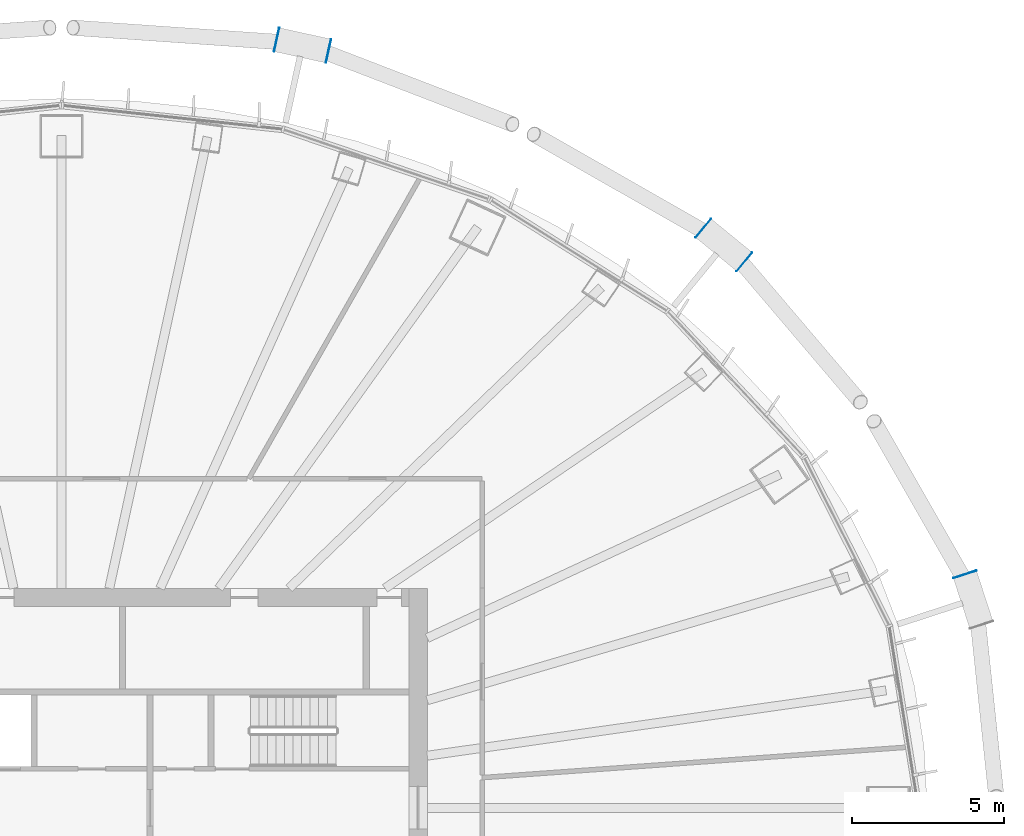
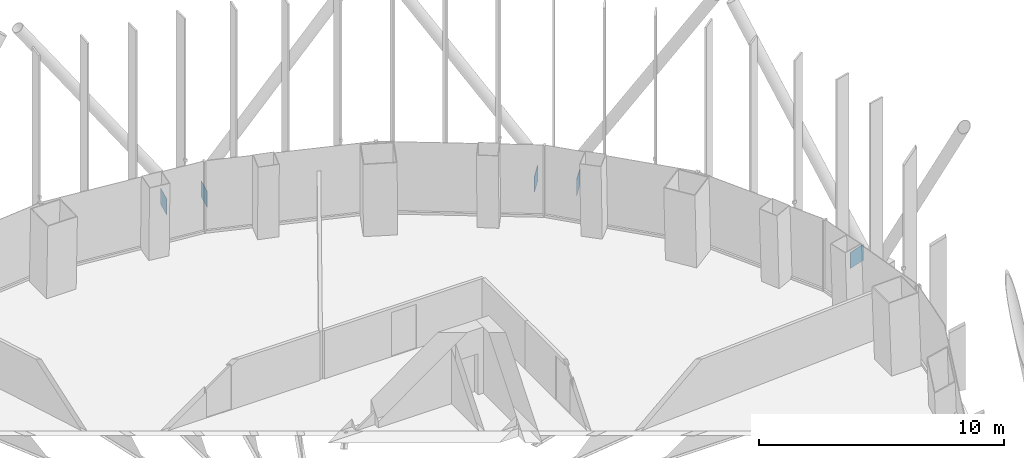
# One storey, part 14 of 22: 5 discrete accessories.
"""IFC4 building model written with IfcOpenShell, lengths in metres."""

import ifcopenshell
import ifcopenshell.guid

model = None  # the IFC model being written
_history = None  # IfcOwnerHistory: only IFC2X3 demands one
_inside = {}  # id of a spatial element -> (the spatial element, [elements in it])
_under = {}  # id of a project, library or spatial element -> (it, [spatial elements below it])
_declared = {}  # id of a project -> (the project, [libraries it declares])
_typed = {}  # id of a type object -> (the type object, [elements of that type])
_made_of = {}  # id of a material, layer set ... -> (it, [elements and type objects made of it])


def new_model(schema):
    """Start an empty IFC model of exactly this schema.

    Asked for "IFC4X3", IfcOpenShell would pick the latest addendum, in which some entities
    have other attributes; the version numbers below select the first issue.
    IFC2X3 requires an IfcOwnerHistory on every rooted entity: one is made here for all.
    """
    global model, _history
    if schema == "IFC4X3":
        model = ifcopenshell.file(schema_version=(4, 3, 0, 0))
    else:
        model = ifcopenshell.file(schema=schema)
    _inside.clear()
    _under.clear()
    _declared.clear()
    _typed.clear()
    _made_of.clear()
    _history = None
    if model.schema == "IFC2X3":
        org = make("IfcOrganization", Name="unknown")
        user = make(
            "IfcPersonAndOrganization",
            ThePerson=make("IfcPerson", FamilyName="unknown"),
            TheOrganization=org,
        )
        app = make(
            "IfcApplication",
            ApplicationDeveloper=org,
            Version="unknown",
            ApplicationFullName="unknown",
            ApplicationIdentifier="unknown",
        )
        _history = make(
            "IfcOwnerHistory",
            OwningUser=user,
            OwningApplication=app,
            ChangeAction="ADDED",
            CreationDate=0,
        )
    return model


def make(cls, **values):
    """One entity of the class cls with the attributes given. An attribute that is None is left unset."""
    return model.create_entity(
        cls, **{name: value for name, value in values.items() if value is not None}
    )


def rooted(cls, **values):
    """An entity with a GlobalId (a new one), such as an element, a storey or a relation."""
    return make(cls, GlobalId=ifcopenshell.guid.new(), OwnerHistory=_history, **values)


def si_unit(unit_type, name, prefix=None):
    """IfcSIUnit, for example si_unit("LENGTHUNIT", "METRE", prefix="MILLI")."""
    return make("IfcSIUnit", UnitType=unit_type, Prefix=prefix, Name=name)


def assignment(units):
    """IfcUnitAssignment: the units of a project."""
    return None if units is None else make("IfcUnitAssignment", Units=units)


def point(xyz):
    """IfcCartesianPoint."""
    return None if xyz is None else make("IfcCartesianPoint", Coordinates=xyz)


def direction(xyz):
    """IfcDirection."""
    return None if xyz is None else make("IfcDirection", DirectionRatios=xyz)


def frame(location, z_axis=None, x_axis=None):
    """IfcAxis2Placement3D, a coordinate frame: its origin and axes. An axis left out is left unset."""
    return make(
        "IfcAxis2Placement3D",
        Location=point(location),
        Axis=direction(z_axis),
        RefDirection=direction(x_axis),
    )


def frame_2d(location, x_axis=None):
    """IfcAxis2Placement2D, a coordinate frame in the plane: its origin and x axis."""
    return make(
        "IfcAxis2Placement2D", Location=point(location), RefDirection=direction(x_axis)
    )


def origin():
    """The frame at (0, 0, 0) with its axes left unset."""
    return frame((0.0, 0.0, 0.0))


def origin_2d():
    """The frame at (0, 0) in the plane with its x axis left unset."""
    return frame_2d((0.0, 0.0))


def place(relative_to, where):
    """IfcLocalPlacement: puts the frame where relative to a parent placement (None: the world)."""
    return make(
        "IfcLocalPlacement", PlacementRelTo=relative_to, RelativePlacement=where
    )


def context(
    kind, dimensions, precision=None, world=None, true_north=None, identifier=None
):
    """IfcGeometricRepresentationContext, for example the 3D "Model" context."""
    return make(
        "IfcGeometricRepresentationContext",
        ContextIdentifier=identifier,
        ContextType=kind,
        CoordinateSpaceDimension=dimensions,
        Precision=precision,
        WorldCoordinateSystem=world,
        TrueNorth=true_north,
    )


def subcontext(parent, identifier, kind, view, scale=None):
    """IfcGeometricRepresentationSubContext, for example "Body" below "Model"."""
    return make(
        "IfcGeometricRepresentationSubContext",
        ContextIdentifier=identifier,
        ContextType=kind,
        ParentContext=parent,
        TargetScale=scale,
        TargetView=view,
    )


def project(units=None, contexts=None):
    """IfcProject with its units and contexts."""
    return rooted(
        "IfcProject",
        Name="project",
        RepresentationContexts=contexts,
        UnitsInContext=assignment(units),
    )


def spatial(cls, under=None, at=None, **own):
    """A site, building, storey or space (cls), placed at a placement, below another one or the project."""
    s = rooted(cls, ObjectPlacement=at, **own)
    if under is not None:
        _under.setdefault(under.id(), (under, []))[1].append(s)
    return s


def profile(cls, at=None, kind="AREA", **sizes):
    """A parametric profile (cls). Its sizes go by their IFC names, for example OverallWidth=200.0."""
    return make(cls, ProfileType=kind, Position=at, **sizes)


def rectangle(**sizes):
    """IfcRectangleProfileDef."""
    return profile("IfcRectangleProfileDef", **sizes)


def extrude(swept, where, along, depth):
    """IfcExtrudedAreaSolid: the profile swept, set in the frame where, extruded along a direction by depth."""
    return make(
        "IfcExtrudedAreaSolid",
        SweptArea=swept,
        Position=where,
        ExtrudedDirection=direction(along),
        Depth=depth,
    )


def shape(context_of_items, identifier, shape_type, items):
    """IfcShapeRepresentation: the items that make up one representation, for example the "Body"."""
    return make(
        "IfcShapeRepresentation",
        ContextOfItems=context_of_items,
        RepresentationIdentifier=identifier,
        RepresentationType=shape_type,
        Items=items,
    )


def material(Name=None, Category=None):
    """IfcMaterial."""
    return make("IfcMaterial", Name=Name, Category=Category)


def layer(
    of_material, thickness, ventilated=None, Name=None, Category=None, Priority=None
):
    """IfcMaterialLayer: one layer of a wall or slab, of a material (None: an air gap)."""
    return make(
        "IfcMaterialLayer",
        Material=of_material,
        LayerThickness=thickness,
        IsVentilated=ventilated,
        Name=Name,
        Category=Category,
        Priority=Priority,
    )


def layer_set(layers, Name=None):
    """IfcMaterialLayerSet."""
    return make("IfcMaterialLayerSet", MaterialLayers=layers, LayerSetName=Name)


def made_of(thing, what):
    """Note that an element or type object is made of a material, layer set ...; save() writes the relation."""
    if what is not None:
        _made_of.setdefault(what.id(), (what, []))[1].append(thing)
    return thing


def type_object(cls, material=None, **own):
    """A type object (cls), such as IfcWallType, which elements share."""
    return made_of(rooted(cls, **own), material)


def element(
    cls,
    number,
    at=None,
    inside=None,
    cuts=None,
    type_object=None,
    material=None,
    context=None,
    identifier="Body",
    shape_type=None,
    held_by="IfcProductDefinitionShape",
    body=None,
    shapes=None,
    **own,
):
    """One element of the class cls, such as IfcWall. Its Tag is "e" and its number.

    at: its placement. inside: the storey or other place that contains it. cuts: it is an
    opening in that element (IfcRelVoidsElement). A single representation is given by context,
    identifier, shape_type and body (its items); several are given by shapes. held_by: the class
    of the entity that holds the representations. save() writes the other relations.
    """
    e = rooted(cls, Tag="e%d" % number, ObjectPlacement=at, **own)
    if body is not None:
        shapes = [shape(context, identifier, shape_type, body)]
    if shapes is not None:
        e.Representation = make(held_by, Representations=shapes)
    if inside is not None:
        _inside.setdefault(inside.id(), (inside, []))[1].append(e)
    if cuts is not None:
        rooted(
            "IfcRelVoidsElement", RelatingBuildingElement=cuts, RelatedOpeningElement=e
        )
    if type_object is not None:
        _typed.setdefault(type_object.id(), (type_object, []))[1].append(e)
    return made_of(e, material)


def aggregate(whole, parts):
    """IfcRelAggregates: a whole, such as a stair, and the parts it consists of."""
    return rooted("IfcRelAggregates", RelatingObject=whole, RelatedObjects=parts)


def save(model, path):
    """Write the relations noted so far, then the file.

    IfcRelAggregates (storeys below a building ...), IfcRelContainedInSpatialStructure (elements
    in a storey), IfcRelDefinesByType, IfcRelAssociatesMaterial and IfcRelDeclares: one each for
    every whole, place, type object, material and project.
    """
    for whole, parts in _under.values():
        aggregate(whole, parts)
    for where, things in _inside.values():
        rooted(
            "IfcRelContainedInSpatialStructure",
            RelatedElements=things,
            RelatingStructure=where,
        )
    for kind, things in _typed.values():
        rooted("IfcRelDefinesByType", RelatedObjects=things, RelatingType=kind)
    for what, things in _made_of.values():
        rooted("IfcRelAssociatesMaterial", RelatedObjects=things, RelatingMaterial=what)
    for by, libraries in _declared.values():
        rooted("IfcRelDeclares", RelatingContext=by, RelatedDefinitions=libraries)
    model.write(path)


model = new_model("IFC4")

# Units and contexts
model_context = context("Model", 3, precision=1e-05, world=origin(), true_north=direction((0.0, 1.0)))
body_context = subcontext(model_context, "Body", "Model", "MODEL_VIEW")
ifc_project = project(units=[si_unit("LENGTHUNIT", "METRE"), si_unit("AREAUNIT", "SQUARE_METRE"), si_unit("VOLUMEUNIT", "CUBIC_METRE"), si_unit("PLANEANGLEUNIT", "RADIAN"), si_unit("MASSUNIT", "GRAM", prefix="KILO")], contexts=[model_context])

# Site, building, storey
site_placement = place(None, origin())
site = spatial("IfcSite", under=ifc_project, at=site_placement, CompositionType="ELEMENT")
building_placement = place(site_placement, origin())
building = spatial("IfcBuilding", under=site, at=building_placement, Name="Siaravel Broadcast Tower", CompositionType="ELEMENT")
storey_placement = place(building_placement, frame((0.0, 0.0, 37.10009765625)))
storey = spatial("IfcBuildingStorey", under=building, at=storey_placement, Name="L07", CompositionType="ELEMENT", Elevation=37.10009765625)

# Discrete accessories
ifc_material = material(Name="Steel S355", Category="steel")
ifc_layer = layer(ifc_material, 0.02001953125)
ifc_layer_set = layer_set([ifc_layer], Name="Steel S355")
discrete_accessory_type = type_object("IfcDiscreteAccessoryType", Name="Steel end plate 20 mm", PredefinedType="USERDEFINED", material=ifc_layer_set)
for number, where, z_axis, x_axis, name in (
    (1, (29.63623046875, 7.657470703125, -0.60009765625), (0.0, 0.0, 1.0), (-0.310910334, 0.950439248, 0.0), "End plate R04 station 03A"),
    (2, (21.05859375, 19.014404296875, -0.60009765625), (0.0, 0.0, 1.0), (-0.773604694, 0.633668508, 0.0), "End plate R04 station 09A"),
    (3, (22.4052734375, 17.9111328125, -0.60009765625), (0.0, 0.0, 1.0), (-0.773604694, 0.633668508, 0.0), "End plate R04 station 09B"),
    (4, (7.05859375, 25.19921875, -0.60009765625), (0.0, 0.0, 1.0), (-0.976750917, 0.214377344, 0.0), "End plate R04 station 15A"),
    (5, (8.759033203125, 24.825927734375, -0.60009765625), (0.0, 0.0, 1.0), (-0.976750917, 0.214377344, 0.0), "End plate R04 station 15B"),
):
    element("IfcDiscreteAccessory", number, at=place(storey_placement, frame(where, z_axis=z_axis, x_axis=x_axis)), inside=storey, type_object=discrete_accessory_type, Name=name, ObjectType="END PLATE", PredefinedType="USERDEFINED", context=body_context, shape_type="SweptSolid", body=[
        extrude(rectangle(XDim=0.02001953125, YDim=0.800048828125, at=origin_2d()), origin(), (0.0, 0.0, 1.0), 0.800048828125),
    ])

save(model, "model.ifc")
